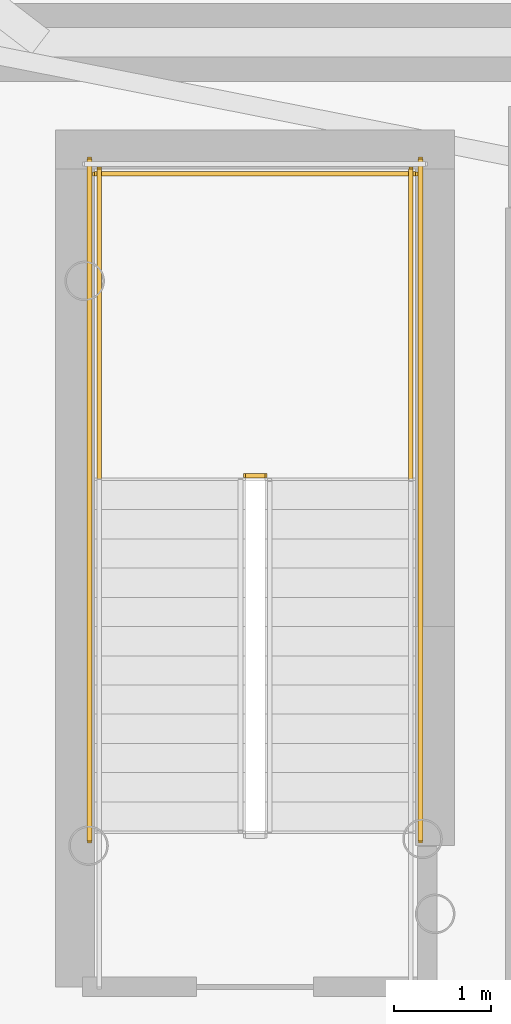
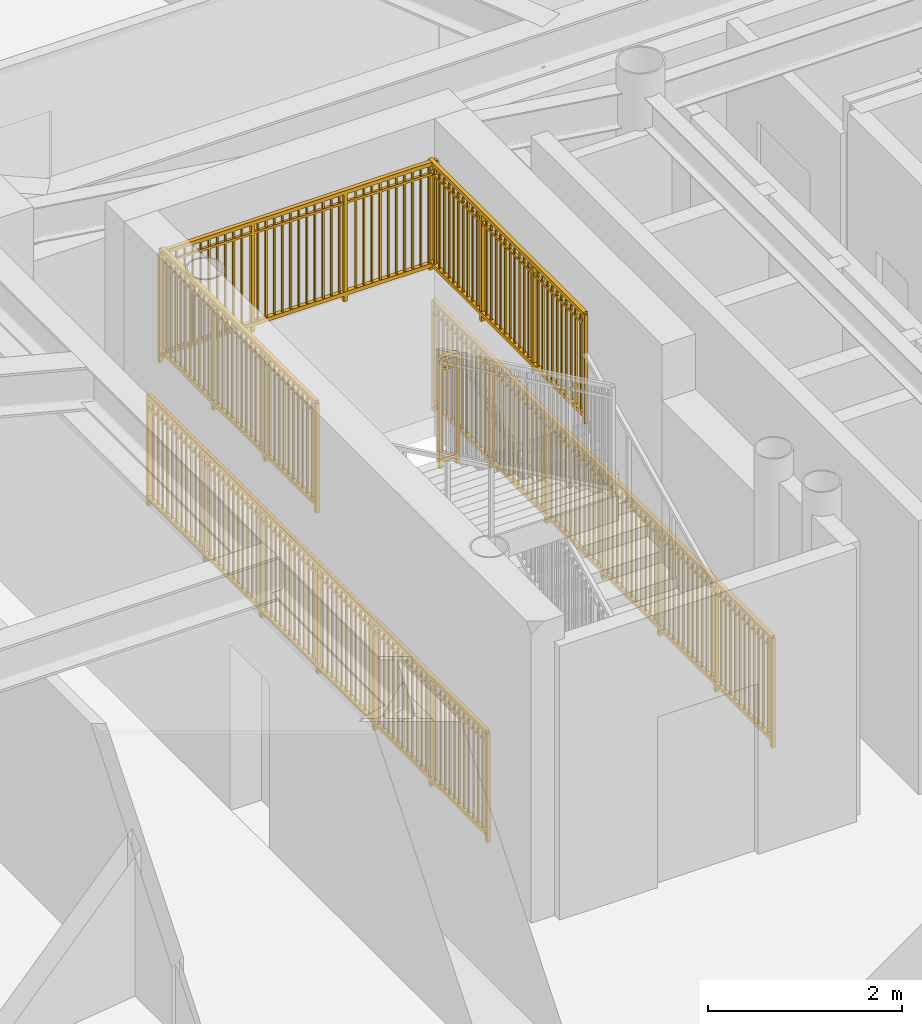
# One storey, part 14 of 17: 6 railings.
"""IFC4 building model written with IfcOpenShell, lengths in metres."""

from ifc_helpers import new_model, si_unit, direction, frame, origin, origin_2d, place, context, subcontext, project, spatial, rectangle, extrude, source, transform, mapped, material, type_object, element, save


model = new_model("IFC4")

# Units and contexts
model_context = context("Model", 3, precision=1e-05, world=origin(), true_north=direction((0.0, 1.0)))
body_context = subcontext(model_context, "Body", "Model", "MODEL_VIEW")
ifc_project = project(units=[si_unit("LENGTHUNIT", "METRE"), si_unit("AREAUNIT", "SQUARE_METRE"), si_unit("VOLUMEUNIT", "CUBIC_METRE"), si_unit("PLANEANGLEUNIT", "RADIAN"), si_unit("MASSUNIT", "GRAM", prefix="KILO")], contexts=[model_context])

# Site, building, storey
site_placement = place(None, origin())
site = spatial("IfcSite", under=ifc_project, at=site_placement, CompositionType="ELEMENT")
building_placement = place(site_placement, origin())
building = spatial("IfcBuilding", under=site, at=building_placement, Name="Linh Dai School and Residence Tower", CompositionType="ELEMENT")
storey_placement = place(building_placement, frame((0.0, 0.0, 142.199951171875)))
storey = spatial("IfcBuildingStorey", under=building, at=storey_placement, Name="L34", CompositionType="ELEMENT", Elevation=142.199951171875)

# Railings
ifc_material = material(Name="Structural Steel S355JR", Category="steel")
railing_type = type_object("IfcRailingType", Name="RL-ST-GUARD-1400", PredefinedType="GUARDRAIL", material=ifc_material)
shared_shape_1 = source(origin(), body_context, "Body", "SweptSolid", [
    extrude(rectangle(XDim=0.048095703125, YDim=0.048095703125, at=origin_2d()), frame((0.0, 0.0, 1.3759765625), z_axis=(-1.0, 0.0, 0.0), x_axis=(0.0, -1.0, 0.0)), (0.0, 0.0, 1.0), 0.199951171875),
    extrude(rectangle(XDim=0.048095703125, YDim=0.048095703125, at=origin_2d()), frame((0.0, 0.0, 0.10009765625), z_axis=(-1.0, 0.0, 0.0), x_axis=(0.0, -1.0, 0.0)), (0.0, 0.0, 1.0), 0.199951171875),
    extrude(rectangle(XDim=0.030029296875, YDim=0.030029296875, at=origin_2d()), frame((0.0, 0.0, 1.239990234375), z_axis=(-1.0, 0.0, 0.0), x_axis=(0.0, -1.0, 0.0)), (0.0, 0.0, 1.0), 0.199951171875),
    extrude(rectangle(XDim=0.0419921875, YDim=0.0419921875, at=origin_2d()), origin(), (0.0, 0.0, 1.0), 1.3759765625),
    extrude(rectangle(XDim=0.0419921875, YDim=0.0419921875, at=origin_2d()), frame((-0.199951171875, 0.0, 0.0)), (0.0, 0.0, 1.0), 1.3759765625),
])
railing_1_placement = place(storey_placement, frame((29.429931640625, 29.35009765625, 1.875)))
element("IfcRailing", 1, at=railing_1_placement, inside=storey, type_object=railing_type, Name="L34 ST1 stair guard 2", PredefinedType="GUARDRAIL", context=body_context, shape_type="MappedRepresentation", body=[
    mapped(shared_shape_1, transform((0.0, 0.0, 0.0), x_axis=(1.0, 0.0, 0.0), y_axis=(0.0, 1.0, 0.0), z_axis=(0.0, 0.0, 1.0), scale=1.0)),
])
shared_shape_2 = source(origin(), body_context, "Body", "SweptSolid", [
    extrude(rectangle(XDim=0.048095703125, YDim=0.048095703125, at=origin_2d()), frame((0.0, 0.0, 1.3759765625), z_axis=(-1.0, 0.0, 0.0), x_axis=(0.0, -1.0, 0.0)), (0.0, 0.0, 1.0), 3.300048828125),
    extrude(rectangle(XDim=0.048095703125, YDim=0.048095703125, at=origin_2d()), frame((0.0, 0.0, 0.10009765625), z_axis=(-1.0, 0.0, 0.0), x_axis=(0.0, -1.0, 0.0)), (0.0, 0.0, 1.0), 3.300048828125),
    extrude(rectangle(XDim=0.030029296875, YDim=0.030029296875, at=origin_2d()), frame((0.0, 0.0, 1.239990234375), z_axis=(-1.0, 0.0, 0.0), x_axis=(0.0, -1.0, 0.0)), (0.0, 0.0, 1.0), 3.300048828125),
    extrude(rectangle(XDim=0.02001953125, YDim=0.02001953125, at=origin_2d()), frame((-0.09716796875, 0.0, 0.10009765625)), (0.0, 0.0, 1.0), 1.251708984375),
    extrude(rectangle(XDim=0.02001953125, YDim=0.02001953125, at=origin_2d()), frame((-0.194091796875, 0.0, 0.10009765625)), (0.0, 0.0, 1.0), 1.251708984375),
    extrude(rectangle(XDim=0.02001953125, YDim=0.02001953125, at=origin_2d()), frame((-0.291259765625, 0.0, 0.10009765625)), (0.0, 0.0, 1.0), 1.251708984375),
    extrude(rectangle(XDim=0.02001953125, YDim=0.02001953125, at=origin_2d()), frame((-0.38818359375, 0.0, 0.10009765625)), (0.0, 0.0, 1.0), 1.251708984375),
    extrude(rectangle(XDim=0.02001953125, YDim=0.02001953125, at=origin_2d()), frame((-0.4853515625, 0.0, 0.10009765625)), (0.0, 0.0, 1.0), 1.251708984375),
    extrude(rectangle(XDim=0.02001953125, YDim=0.02001953125, at=origin_2d()), frame((-0.582275390625, 0.0, 0.10009765625)), (0.0, 0.0, 1.0), 1.251708984375),
    extrude(rectangle(XDim=0.02001953125, YDim=0.02001953125, at=origin_2d()), frame((-0.679443359375, 0.0, 0.10009765625)), (0.0, 0.0, 1.0), 1.251708984375),
    extrude(rectangle(XDim=0.02001953125, YDim=0.02001953125, at=origin_2d()), frame((-0.7763671875, 0.0, 0.10009765625)), (0.0, 0.0, 1.0), 1.251708984375),
    extrude(rectangle(XDim=0.02001953125, YDim=0.02001953125, at=origin_2d()), frame((-0.87353515625, 0.0, 0.10009765625)), (0.0, 0.0, 1.0), 1.251708984375),
    extrude(rectangle(XDim=0.02001953125, YDim=0.02001953125, at=origin_2d()), frame((-0.970703125, 0.0, 0.10009765625)), (0.0, 0.0, 1.0), 1.251708984375),
    extrude(rectangle(XDim=0.02001953125, YDim=0.02001953125, at=origin_2d()), frame((-1.164794921875, 0.0, 0.10009765625)), (0.0, 0.0, 1.0), 1.251708984375),
    extrude(rectangle(XDim=0.02001953125, YDim=0.02001953125, at=origin_2d()), frame((-1.26171875, 0.0, 0.10009765625)), (0.0, 0.0, 1.0), 1.251708984375),
    extrude(rectangle(XDim=0.02001953125, YDim=0.02001953125, at=origin_2d()), frame((-1.35888671875, 0.0, 0.10009765625)), (0.0, 0.0, 1.0), 1.251708984375),
    extrude(rectangle(XDim=0.02001953125, YDim=0.02001953125, at=origin_2d()), frame((-1.455810546875, 0.0, 0.10009765625)), (0.0, 0.0, 1.0), 1.251708984375),
    extrude(rectangle(XDim=0.02001953125, YDim=0.02001953125, at=origin_2d()), frame((-1.552978515625, 0.0, 0.10009765625)), (0.0, 0.0, 1.0), 1.251708984375),
    extrude(rectangle(XDim=0.02001953125, YDim=0.02001953125, at=origin_2d()), frame((-1.64990234375, 0.0, 0.10009765625)), (0.0, 0.0, 1.0), 1.251708984375),
    extrude(rectangle(XDim=0.02001953125, YDim=0.02001953125, at=origin_2d()), frame((-1.7470703125, 0.0, 0.10009765625)), (0.0, 0.0, 1.0), 1.251708984375),
    extrude(rectangle(XDim=0.02001953125, YDim=0.02001953125, at=origin_2d()), frame((-1.84423828125, 0.0, 0.10009765625)), (0.0, 0.0, 1.0), 1.251708984375),
    extrude(rectangle(XDim=0.02001953125, YDim=0.02001953125, at=origin_2d()), frame((-1.941162109375, 0.0, 0.10009765625)), (0.0, 0.0, 1.0), 1.251708984375),
    extrude(rectangle(XDim=0.02001953125, YDim=0.02001953125, at=origin_2d()), frame((-2.038330078125, 0.0, 0.10009765625)), (0.0, 0.0, 1.0), 1.251708984375),
    extrude(rectangle(XDim=0.02001953125, YDim=0.02001953125, at=origin_2d()), frame((-2.13525390625, 0.0, 0.10009765625)), (0.0, 0.0, 1.0), 1.251708984375),
    extrude(rectangle(XDim=0.02001953125, YDim=0.02001953125, at=origin_2d()), frame((-2.329345703125, 0.0, 0.10009765625)), (0.0, 0.0, 1.0), 1.251708984375),
    extrude(rectangle(XDim=0.02001953125, YDim=0.02001953125, at=origin_2d()), frame((-2.426513671875, 0.0, 0.10009765625)), (0.0, 0.0, 1.0), 1.251708984375),
    extrude(rectangle(XDim=0.02001953125, YDim=0.02001953125, at=origin_2d()), frame((-2.523681640625, 0.0, 0.10009765625)), (0.0, 0.0, 1.0), 1.251708984375),
    extrude(rectangle(XDim=0.02001953125, YDim=0.02001953125, at=origin_2d()), frame((-2.62060546875, 0.0, 0.10009765625)), (0.0, 0.0, 1.0), 1.251708984375),
    extrude(rectangle(XDim=0.02001953125, YDim=0.02001953125, at=origin_2d()), frame((-2.7177734375, 0.0, 0.10009765625)), (0.0, 0.0, 1.0), 1.251708984375),
    extrude(rectangle(XDim=0.02001953125, YDim=0.02001953125, at=origin_2d()), frame((-2.814697265625, 0.0, 0.10009765625)), (0.0, 0.0, 1.0), 1.251708984375),
    extrude(rectangle(XDim=0.02001953125, YDim=0.02001953125, at=origin_2d()), frame((-2.911865234375, 0.0, 0.10009765625)), (0.0, 0.0, 1.0), 1.251708984375),
    extrude(rectangle(XDim=0.02001953125, YDim=0.02001953125, at=origin_2d()), frame((-3.0087890625, 0.0, 0.10009765625)), (0.0, 0.0, 1.0), 1.251708984375),
    extrude(rectangle(XDim=0.02001953125, YDim=0.02001953125, at=origin_2d()), frame((-3.10595703125, 0.0, 0.10009765625)), (0.0, 0.0, 1.0), 1.251708984375),
    extrude(rectangle(XDim=0.02001953125, YDim=0.02001953125, at=origin_2d()), frame((-3.202880859375, 0.0, 0.10009765625)), (0.0, 0.0, 1.0), 1.251708984375),
    extrude(rectangle(XDim=0.0419921875, YDim=0.0419921875, at=origin_2d()), origin(), (0.0, 0.0, 1.0), 1.3759765625),
    extrude(rectangle(XDim=0.0419921875, YDim=0.0419921875, at=origin_2d()), frame((-1.10009765625, 0.0, 0.0)), (0.0, 0.0, 1.0), 1.3759765625),
    extrude(rectangle(XDim=0.0419921875, YDim=0.0419921875, at=origin_2d()), frame((-2.199951171875, 0.0, 0.0)), (0.0, 0.0, 1.0), 1.3759765625),
    extrude(rectangle(XDim=0.0419921875, YDim=0.0419921875, at=origin_2d()), frame((-3.300048828125, 0.0, 0.0)), (0.0, 0.0, 1.0), 1.3759765625),
])
railing_2_placement = place(storey_placement, frame((30.97998046875, 32.449951171875, 1.875)))
element("IfcRailing", 2, at=railing_2_placement, inside=storey, type_object=railing_type, Name="L34 ST1 stair guard 5", PredefinedType="GUARDRAIL", context=body_context, shape_type="MappedRepresentation", body=[
    mapped(shared_shape_2, transform((0.0, 0.0, 0.0), x_axis=(1.0, 0.0, 0.0), y_axis=(0.0, 1.0, 0.0), z_axis=(0.0, 0.0, 1.0), scale=1.0)),
])
shared_shape_3 = source(origin(), body_context, "Body", "SweptSolid", [
    extrude(rectangle(XDim=0.048095703125, YDim=0.048095703125, at=origin_2d()), frame((0.0, 0.0, 1.3759765625), z_axis=(0.0, 1.0, 0.0), x_axis=(-1.0, 0.0, 0.0)), (0.0, 0.0, 1.0), 7.0),
    extrude(rectangle(XDim=0.048095703125, YDim=0.048095703125, at=origin_2d()), frame((0.0, 0.0, 0.10009765625), z_axis=(0.0, 1.0, 0.0), x_axis=(-1.0, 0.0, 0.0)), (0.0, 0.0, 1.0), 7.0),
    extrude(rectangle(XDim=0.030029296875, YDim=0.030029296875, at=origin_2d()), frame((0.0, 0.0, 1.239990234375), z_axis=(0.0, 1.0, 0.0), x_axis=(-1.0, 0.0, 0.0)), (0.0, 0.0, 1.0), 7.0),
    extrude(rectangle(XDim=0.02001953125, YDim=0.02001953125, at=origin_2d()), frame((0.0, 0.09716796875, 0.10009765625)), (0.0, 0.0, 1.0), 1.251708984375),
    extrude(rectangle(XDim=0.02001953125, YDim=0.02001953125, at=origin_2d()), frame((0.0, 0.1943359375, 0.10009765625)), (0.0, 0.0, 1.0), 1.251708984375),
    extrude(rectangle(XDim=0.02001953125, YDim=0.02001953125, at=origin_2d()), frame((0.0, 0.291748046875, 0.10009765625)), (0.0, 0.0, 1.0), 1.251708984375),
    extrude(rectangle(XDim=0.02001953125, YDim=0.02001953125, at=origin_2d()), frame((0.0, 0.388916015625, 0.10009765625)), (0.0, 0.0, 1.0), 1.251708984375),
    extrude(rectangle(XDim=0.02001953125, YDim=0.02001953125, at=origin_2d()), frame((0.0, 0.486083984375, 0.10009765625)), (0.0, 0.0, 1.0), 1.251708984375),
    extrude(rectangle(XDim=0.02001953125, YDim=0.02001953125, at=origin_2d()), frame((0.0, 0.583251953125, 0.10009765625)), (0.0, 0.0, 1.0), 1.251708984375),
    extrude(rectangle(XDim=0.02001953125, YDim=0.02001953125, at=origin_2d()), frame((0.0, 0.6806640625, 0.10009765625)), (0.0, 0.0, 1.0), 1.251708984375),
    extrude(rectangle(XDim=0.02001953125, YDim=0.02001953125, at=origin_2d()), frame((0.0, 0.77783203125, 0.10009765625)), (0.0, 0.0, 1.0), 1.251708984375),
    extrude(rectangle(XDim=0.02001953125, YDim=0.02001953125, at=origin_2d()), frame((0.0, 0.875, 0.10009765625)), (0.0, 0.0, 1.0), 1.251708984375),
    extrude(rectangle(XDim=0.02001953125, YDim=0.02001953125, at=origin_2d()), frame((0.0, 0.97216796875, 0.10009765625)), (0.0, 0.0, 1.0), 1.251708984375),
    extrude(rectangle(XDim=0.02001953125, YDim=0.02001953125, at=origin_2d()), frame((0.0, 1.0693359375, 0.10009765625)), (0.0, 0.0, 1.0), 1.251708984375),
    extrude(rectangle(XDim=0.02001953125, YDim=0.02001953125, at=origin_2d()), frame((0.0, 1.263916015625, 0.10009765625)), (0.0, 0.0, 1.0), 1.251708984375),
    extrude(rectangle(XDim=0.02001953125, YDim=0.02001953125, at=origin_2d()), frame((0.0, 1.361083984375, 0.10009765625)), (0.0, 0.0, 1.0), 1.251708984375),
    extrude(rectangle(XDim=0.02001953125, YDim=0.02001953125, at=origin_2d()), frame((0.0, 1.458251953125, 0.10009765625)), (0.0, 0.0, 1.0), 1.251708984375),
    extrude(rectangle(XDim=0.02001953125, YDim=0.02001953125, at=origin_2d()), frame((0.0, 1.5556640625, 0.10009765625)), (0.0, 0.0, 1.0), 1.251708984375),
    extrude(rectangle(XDim=0.02001953125, YDim=0.02001953125, at=origin_2d()), frame((0.0, 1.65283203125, 0.10009765625)), (0.0, 0.0, 1.0), 1.251708984375),
    extrude(rectangle(XDim=0.02001953125, YDim=0.02001953125, at=origin_2d()), frame((0.0, 1.75, 0.10009765625)), (0.0, 0.0, 1.0), 1.251708984375),
    extrude(rectangle(XDim=0.02001953125, YDim=0.02001953125, at=origin_2d()), frame((0.0, 1.84716796875, 0.10009765625)), (0.0, 0.0, 1.0), 1.251708984375),
    extrude(rectangle(XDim=0.02001953125, YDim=0.02001953125, at=origin_2d()), frame((0.0, 1.9443359375, 0.10009765625)), (0.0, 0.0, 1.0), 1.251708984375),
    extrude(rectangle(XDim=0.02001953125, YDim=0.02001953125, at=origin_2d()), frame((0.0, 2.041748046875, 0.10009765625)), (0.0, 0.0, 1.0), 1.251708984375),
    extrude(rectangle(XDim=0.02001953125, YDim=0.02001953125, at=origin_2d()), frame((0.0, 2.138916015625, 0.10009765625)), (0.0, 0.0, 1.0), 1.251708984375),
    extrude(rectangle(XDim=0.02001953125, YDim=0.02001953125, at=origin_2d()), frame((0.0, 2.236083984375, 0.10009765625)), (0.0, 0.0, 1.0), 1.251708984375),
    extrude(rectangle(XDim=0.02001953125, YDim=0.02001953125, at=origin_2d()), frame((0.0, 2.4306640625, 0.10009765625)), (0.0, 0.0, 1.0), 1.251708984375),
    extrude(rectangle(XDim=0.02001953125, YDim=0.02001953125, at=origin_2d()), frame((0.0, 2.52783203125, 0.10009765625)), (0.0, 0.0, 1.0), 1.251708984375),
    extrude(rectangle(XDim=0.02001953125, YDim=0.02001953125, at=origin_2d()), frame((0.0, 2.625, 0.10009765625)), (0.0, 0.0, 1.0), 1.251708984375),
    extrude(rectangle(XDim=0.02001953125, YDim=0.02001953125, at=origin_2d()), frame((0.0, 2.72216796875, 0.10009765625)), (0.0, 0.0, 1.0), 1.251708984375),
    extrude(rectangle(XDim=0.02001953125, YDim=0.02001953125, at=origin_2d()), frame((0.0, 2.8193359375, 0.10009765625)), (0.0, 0.0, 1.0), 1.251708984375),
    extrude(rectangle(XDim=0.02001953125, YDim=0.02001953125, at=origin_2d()), frame((0.0, 2.916748046875, 0.10009765625)), (0.0, 0.0, 1.0), 1.251708984375),
    extrude(rectangle(XDim=0.02001953125, YDim=0.02001953125, at=origin_2d()), frame((0.0, 3.013916015625, 0.10009765625)), (0.0, 0.0, 1.0), 1.251708984375),
    extrude(rectangle(XDim=0.02001953125, YDim=0.02001953125, at=origin_2d()), frame((0.0, 3.111083984375, 0.10009765625)), (0.0, 0.0, 1.0), 1.251708984375),
    extrude(rectangle(XDim=0.02001953125, YDim=0.02001953125, at=origin_2d()), frame((0.0, 3.208251953125, 0.10009765625)), (0.0, 0.0, 1.0), 1.251708984375),
    extrude(rectangle(XDim=0.02001953125, YDim=0.02001953125, at=origin_2d()), frame((0.0, 3.3056640625, 0.10009765625)), (0.0, 0.0, 1.0), 1.251708984375),
    extrude(rectangle(XDim=0.02001953125, YDim=0.02001953125, at=origin_2d()), frame((0.0, 3.40283203125, 0.10009765625)), (0.0, 0.0, 1.0), 1.251708984375),
    extrude(rectangle(XDim=0.02001953125, YDim=0.02001953125, at=origin_2d()), frame((0.0, 3.59716796875, 0.10009765625)), (0.0, 0.0, 1.0), 1.251708984375),
    extrude(rectangle(XDim=0.02001953125, YDim=0.02001953125, at=origin_2d()), frame((0.0, 3.6943359375, 0.10009765625)), (0.0, 0.0, 1.0), 1.251708984375),
    extrude(rectangle(XDim=0.02001953125, YDim=0.02001953125, at=origin_2d()), frame((0.0, 3.791748046875, 0.10009765625)), (0.0, 0.0, 1.0), 1.251708984375),
    extrude(rectangle(XDim=0.02001953125, YDim=0.02001953125, at=origin_2d()), frame((0.0, 3.888916015625, 0.10009765625)), (0.0, 0.0, 1.0), 1.251708984375),
    extrude(rectangle(XDim=0.02001953125, YDim=0.02001953125, at=origin_2d()), frame((0.0, 3.986083984375, 0.10009765625)), (0.0, 0.0, 1.0), 1.251708984375),
    extrude(rectangle(XDim=0.02001953125, YDim=0.02001953125, at=origin_2d()), frame((0.0, 4.083251953125, 0.10009765625)), (0.0, 0.0, 1.0), 1.251708984375),
    extrude(rectangle(XDim=0.02001953125, YDim=0.02001953125, at=origin_2d()), frame((0.0, 4.1806640625, 0.10009765625)), (0.0, 0.0, 1.0), 1.251708984375),
    extrude(rectangle(XDim=0.02001953125, YDim=0.02001953125, at=origin_2d()), frame((0.0, 4.27783203125, 0.10009765625)), (0.0, 0.0, 1.0), 1.251708984375),
    extrude(rectangle(XDim=0.02001953125, YDim=0.02001953125, at=origin_2d()), frame((0.0, 4.375, 0.10009765625)), (0.0, 0.0, 1.0), 1.251708984375),
    extrude(rectangle(XDim=0.02001953125, YDim=0.02001953125, at=origin_2d()), frame((0.0, 4.47216796875, 0.10009765625)), (0.0, 0.0, 1.0), 1.251708984375),
    extrude(rectangle(XDim=0.02001953125, YDim=0.02001953125, at=origin_2d()), frame((0.0, 4.5693359375, 0.10009765625)), (0.0, 0.0, 1.0), 1.251708984375),
    extrude(rectangle(XDim=0.02001953125, YDim=0.02001953125, at=origin_2d()), frame((0.0, 4.763916015625, 0.10009765625)), (0.0, 0.0, 1.0), 1.251708984375),
    extrude(rectangle(XDim=0.02001953125, YDim=0.02001953125, at=origin_2d()), frame((0.0, 4.861083984375, 0.10009765625)), (0.0, 0.0, 1.0), 1.251708984375),
    extrude(rectangle(XDim=0.02001953125, YDim=0.02001953125, at=origin_2d()), frame((0.0, 4.958251953125, 0.10009765625)), (0.0, 0.0, 1.0), 1.251708984375),
    extrude(rectangle(XDim=0.02001953125, YDim=0.02001953125, at=origin_2d()), frame((0.0, 5.0556640625, 0.10009765625)), (0.0, 0.0, 1.0), 1.251708984375),
    extrude(rectangle(XDim=0.02001953125, YDim=0.02001953125, at=origin_2d()), frame((0.0, 5.15283203125, 0.10009765625)), (0.0, 0.0, 1.0), 1.251708984375),
    extrude(rectangle(XDim=0.02001953125, YDim=0.02001953125, at=origin_2d()), frame((0.0, 5.25, 0.10009765625)), (0.0, 0.0, 1.0), 1.251708984375),
    extrude(rectangle(XDim=0.02001953125, YDim=0.02001953125, at=origin_2d()), frame((0.0, 5.34716796875, 0.10009765625)), (0.0, 0.0, 1.0), 1.251708984375),
    extrude(rectangle(XDim=0.02001953125, YDim=0.02001953125, at=origin_2d()), frame((0.0, 5.4443359375, 0.10009765625)), (0.0, 0.0, 1.0), 1.251708984375),
    extrude(rectangle(XDim=0.02001953125, YDim=0.02001953125, at=origin_2d()), frame((0.0, 5.541748046875, 0.10009765625)), (0.0, 0.0, 1.0), 1.251708984375),
    extrude(rectangle(XDim=0.02001953125, YDim=0.02001953125, at=origin_2d()), frame((0.0, 5.638916015625, 0.10009765625)), (0.0, 0.0, 1.0), 1.251708984375),
    extrude(rectangle(XDim=0.02001953125, YDim=0.02001953125, at=origin_2d()), frame((0.0, 5.736083984375, 0.10009765625)), (0.0, 0.0, 1.0), 1.251708984375),
    extrude(rectangle(XDim=0.02001953125, YDim=0.02001953125, at=origin_2d()), frame((0.0, 5.9306640625, 0.10009765625)), (0.0, 0.0, 1.0), 1.251708984375),
    extrude(rectangle(XDim=0.02001953125, YDim=0.02001953125, at=origin_2d()), frame((0.0, 6.02783203125, 0.10009765625)), (0.0, 0.0, 1.0), 1.251708984375),
    extrude(rectangle(XDim=0.02001953125, YDim=0.02001953125, at=origin_2d()), frame((0.0, 6.125, 0.10009765625)), (0.0, 0.0, 1.0), 1.251708984375),
    extrude(rectangle(XDim=0.02001953125, YDim=0.02001953125, at=origin_2d()), frame((0.0, 6.22216796875, 0.10009765625)), (0.0, 0.0, 1.0), 1.251708984375),
    extrude(rectangle(XDim=0.02001953125, YDim=0.02001953125, at=origin_2d()), frame((0.0, 6.3193359375, 0.10009765625)), (0.0, 0.0, 1.0), 1.251708984375),
    extrude(rectangle(XDim=0.02001953125, YDim=0.02001953125, at=origin_2d()), frame((0.0, 6.416748046875, 0.10009765625)), (0.0, 0.0, 1.0), 1.251708984375),
    extrude(rectangle(XDim=0.02001953125, YDim=0.02001953125, at=origin_2d()), frame((0.0, 6.513916015625, 0.10009765625)), (0.0, 0.0, 1.0), 1.251708984375),
    extrude(rectangle(XDim=0.02001953125, YDim=0.02001953125, at=origin_2d()), frame((0.0, 6.611083984375, 0.10009765625)), (0.0, 0.0, 1.0), 1.251708984375),
    extrude(rectangle(XDim=0.02001953125, YDim=0.02001953125, at=origin_2d()), frame((0.0, 6.708251953125, 0.10009765625)), (0.0, 0.0, 1.0), 1.251708984375),
    extrude(rectangle(XDim=0.02001953125, YDim=0.02001953125, at=origin_2d()), frame((0.0, 6.8056640625, 0.10009765625)), (0.0, 0.0, 1.0), 1.251708984375),
    extrude(rectangle(XDim=0.02001953125, YDim=0.02001953125, at=origin_2d()), frame((0.0, 6.90283203125, 0.10009765625)), (0.0, 0.0, 1.0), 1.251708984375),
    extrude(rectangle(XDim=0.0419921875, YDim=0.0419921875, at=origin_2d()), origin(), (0.0, 0.0, 1.0), 1.3759765625),
    extrude(rectangle(XDim=0.0419921875, YDim=0.0419921875, at=origin_2d()), frame((0.0, 1.166748046875, 0.0)), (0.0, 0.0, 1.0), 1.3759765625),
    extrude(rectangle(XDim=0.0419921875, YDim=0.0419921875, at=origin_2d()), frame((0.0, 2.333251953125, 0.0)), (0.0, 0.0, 1.0), 1.3759765625),
    extrude(rectangle(XDim=0.0419921875, YDim=0.0419921875, at=origin_2d()), frame((0.0, 3.5, 0.0)), (0.0, 0.0, 1.0), 1.3759765625),
    extrude(rectangle(XDim=0.0419921875, YDim=0.0419921875, at=origin_2d()), frame((0.0, 4.666748046875, 0.0)), (0.0, 0.0, 1.0), 1.3759765625),
    extrude(rectangle(XDim=0.0419921875, YDim=0.0419921875, at=origin_2d()), frame((0.0, 5.833251953125, 0.0)), (0.0, 0.0, 1.0), 1.3759765625),
    extrude(rectangle(XDim=0.0419921875, YDim=0.0419921875, at=origin_2d()), frame((0.0, 7.0, 0.0)), (0.0, 0.0, 1.0), 1.3759765625),
])
for number, where, name in (
    (3, (31.030029296875, 25.60009765625, 0.0), "L34 ST1 stair guard 10"),
    (4, (27.6298828125, 25.60009765625, 0.0), "L34 ST1 stair guard 11"),
):
    element("IfcRailing", number, at=place(storey_placement, frame(where)), inside=storey, type_object=railing_type, Name=name, PredefinedType="GUARDRAIL", context=body_context, shape_type="MappedRepresentation", body=[
        mapped(shared_shape_3, transform((0.0, 0.0, 0.0), x_axis=(1.0, 0.0, 0.0), y_axis=(0.0, 1.0, 0.0), z_axis=(0.0, 0.0, 1.0), scale=1.0)),
    ])
shared_shape_4 = source(origin(), body_context, "Body", "SweptSolid", [
    extrude(rectangle(XDim=0.048095703125, YDim=0.048095703125, at=origin_2d()), frame((0.0, 0.0, 1.3759765625), z_axis=(0.0, 1.0, 0.0), x_axis=(-1.0, 0.0, 0.0)), (0.0, 0.0, 1.0), 3.199951171875),
    extrude(rectangle(XDim=0.048095703125, YDim=0.048095703125, at=origin_2d()), frame((0.0, 0.0, 0.10009765625), z_axis=(0.0, 1.0, 0.0), x_axis=(-1.0, 0.0, 0.0)), (0.0, 0.0, 1.0), 3.199951171875),
    extrude(rectangle(XDim=0.030029296875, YDim=0.030029296875, at=origin_2d()), frame((0.0, 0.0, 1.239990234375), z_axis=(0.0, 1.0, 0.0), x_axis=(-1.0, 0.0, 0.0)), (0.0, 0.0, 1.0), 3.199951171875),
    extrude(rectangle(XDim=0.02001953125, YDim=0.02001953125, at=origin_2d()), frame((0.0, 0.096923828125, 0.10009765625)), (0.0, 0.0, 1.0), 1.251708984375),
    extrude(rectangle(XDim=0.02001953125, YDim=0.02001953125, at=origin_2d()), frame((0.0, 0.19384765625, 0.10009765625)), (0.0, 0.0, 1.0), 1.251708984375),
    extrude(rectangle(XDim=0.02001953125, YDim=0.02001953125, at=origin_2d()), frame((0.0, 0.291015625, 0.10009765625)), (0.0, 0.0, 1.0), 1.251708984375),
    extrude(rectangle(XDim=0.02001953125, YDim=0.02001953125, at=origin_2d()), frame((0.0, 0.387939453125, 0.10009765625)), (0.0, 0.0, 1.0), 1.251708984375),
    extrude(rectangle(XDim=0.02001953125, YDim=0.02001953125, at=origin_2d()), frame((0.0, 0.48486328125, 0.10009765625)), (0.0, 0.0, 1.0), 1.251708984375),
    extrude(rectangle(XDim=0.02001953125, YDim=0.02001953125, at=origin_2d()), frame((0.0, 0.581787109375, 0.10009765625)), (0.0, 0.0, 1.0), 1.251708984375),
    extrude(rectangle(XDim=0.02001953125, YDim=0.02001953125, at=origin_2d()), frame((0.0, 0.6787109375, 0.10009765625)), (0.0, 0.0, 1.0), 1.251708984375),
    extrude(rectangle(XDim=0.02001953125, YDim=0.02001953125, at=origin_2d()), frame((0.0, 0.775634765625, 0.10009765625)), (0.0, 0.0, 1.0), 1.251708984375),
    extrude(rectangle(XDim=0.02001953125, YDim=0.02001953125, at=origin_2d()), frame((0.0, 0.872802734375, 0.10009765625)), (0.0, 0.0, 1.0), 1.251708984375),
    extrude(rectangle(XDim=0.02001953125, YDim=0.02001953125, at=origin_2d()), frame((0.0, 0.9697265625, 0.10009765625)), (0.0, 0.0, 1.0), 1.251708984375),
    extrude(rectangle(XDim=0.02001953125, YDim=0.02001953125, at=origin_2d()), frame((0.0, 1.16357421875, 0.10009765625)), (0.0, 0.0, 1.0), 1.251708984375),
    extrude(rectangle(XDim=0.02001953125, YDim=0.02001953125, at=origin_2d()), frame((0.0, 1.260498046875, 0.10009765625)), (0.0, 0.0, 1.0), 1.251708984375),
    extrude(rectangle(XDim=0.02001953125, YDim=0.02001953125, at=origin_2d()), frame((0.0, 1.357666015625, 0.10009765625)), (0.0, 0.0, 1.0), 1.251708984375),
    extrude(rectangle(XDim=0.02001953125, YDim=0.02001953125, at=origin_2d()), frame((0.0, 1.45458984375, 0.10009765625)), (0.0, 0.0, 1.0), 1.251708984375),
    extrude(rectangle(XDim=0.02001953125, YDim=0.02001953125, at=origin_2d()), frame((0.0, 1.551513671875, 0.10009765625)), (0.0, 0.0, 1.0), 1.251708984375),
    extrude(rectangle(XDim=0.02001953125, YDim=0.02001953125, at=origin_2d()), frame((0.0, 1.6484375, 0.10009765625)), (0.0, 0.0, 1.0), 1.251708984375),
    extrude(rectangle(XDim=0.02001953125, YDim=0.02001953125, at=origin_2d()), frame((0.0, 1.745361328125, 0.10009765625)), (0.0, 0.0, 1.0), 1.251708984375),
    extrude(rectangle(XDim=0.02001953125, YDim=0.02001953125, at=origin_2d()), frame((0.0, 1.84228515625, 0.10009765625)), (0.0, 0.0, 1.0), 1.251708984375),
    extrude(rectangle(XDim=0.02001953125, YDim=0.02001953125, at=origin_2d()), frame((0.0, 1.939453125, 0.10009765625)), (0.0, 0.0, 1.0), 1.251708984375),
    extrude(rectangle(XDim=0.02001953125, YDim=0.02001953125, at=origin_2d()), frame((0.0, 2.036376953125, 0.10009765625)), (0.0, 0.0, 1.0), 1.251708984375),
    extrude(rectangle(XDim=0.02001953125, YDim=0.02001953125, at=origin_2d()), frame((0.0, 2.230224609375, 0.10009765625)), (0.0, 0.0, 1.0), 1.251708984375),
    extrude(rectangle(XDim=0.02001953125, YDim=0.02001953125, at=origin_2d()), frame((0.0, 2.3271484375, 0.10009765625)), (0.0, 0.0, 1.0), 1.251708984375),
    extrude(rectangle(XDim=0.02001953125, YDim=0.02001953125, at=origin_2d()), frame((0.0, 2.42431640625, 0.10009765625)), (0.0, 0.0, 1.0), 1.251708984375),
    extrude(rectangle(XDim=0.02001953125, YDim=0.02001953125, at=origin_2d()), frame((0.0, 2.521240234375, 0.10009765625)), (0.0, 0.0, 1.0), 1.251708984375),
    extrude(rectangle(XDim=0.02001953125, YDim=0.02001953125, at=origin_2d()), frame((0.0, 2.6181640625, 0.10009765625)), (0.0, 0.0, 1.0), 1.251708984375),
    extrude(rectangle(XDim=0.02001953125, YDim=0.02001953125, at=origin_2d()), frame((0.0, 2.715087890625, 0.10009765625)), (0.0, 0.0, 1.0), 1.251708984375),
    extrude(rectangle(XDim=0.02001953125, YDim=0.02001953125, at=origin_2d()), frame((0.0, 2.81201171875, 0.10009765625)), (0.0, 0.0, 1.0), 1.251708984375),
    extrude(rectangle(XDim=0.02001953125, YDim=0.02001953125, at=origin_2d()), frame((0.0, 2.908935546875, 0.10009765625)), (0.0, 0.0, 1.0), 1.251708984375),
    extrude(rectangle(XDim=0.02001953125, YDim=0.02001953125, at=origin_2d()), frame((0.0, 3.006103515625, 0.10009765625)), (0.0, 0.0, 1.0), 1.251708984375),
    extrude(rectangle(XDim=0.02001953125, YDim=0.02001953125, at=origin_2d()), frame((0.0, 3.10302734375, 0.10009765625)), (0.0, 0.0, 1.0), 1.251708984375),
    extrude(rectangle(XDim=0.0419921875, YDim=0.0419921875, at=origin_2d()), origin(), (0.0, 0.0, 1.0), 1.3759765625),
    extrude(rectangle(XDim=0.0419921875, YDim=0.0419921875, at=origin_2d()), frame((0.0, 1.066650390625, 0.0)), (0.0, 0.0, 1.0), 1.3759765625),
    extrude(rectangle(XDim=0.0419921875, YDim=0.0419921875, at=origin_2d()), frame((0.0, 2.13330078125, 0.0)), (0.0, 0.0, 1.0), 1.3759765625),
    extrude(rectangle(XDim=0.0419921875, YDim=0.0419921875, at=origin_2d()), frame((0.0, 3.199951171875, 0.0)), (0.0, 0.0, 1.0), 1.3759765625),
])
for number, where, name in (
    (5, (30.929931640625, 29.300048828125, 1.875), "L34 ST1 stair guard 3"),
    (6, (27.72998046875, 29.300048828125, 1.875), "L34 ST1 stair guard 4"),
):
    element("IfcRailing", number, at=place(storey_placement, frame(where)), inside=storey, type_object=railing_type, Name=name, PredefinedType="GUARDRAIL", context=body_context, shape_type="MappedRepresentation", body=[
        mapped(shared_shape_4, transform((0.0, 0.0, 0.0), x_axis=(1.0, 0.0, 0.0), y_axis=(0.0, 1.0, 0.0), z_axis=(0.0, 0.0, 1.0), scale=1.0)),
    ])

save(model, "model.ifc")
